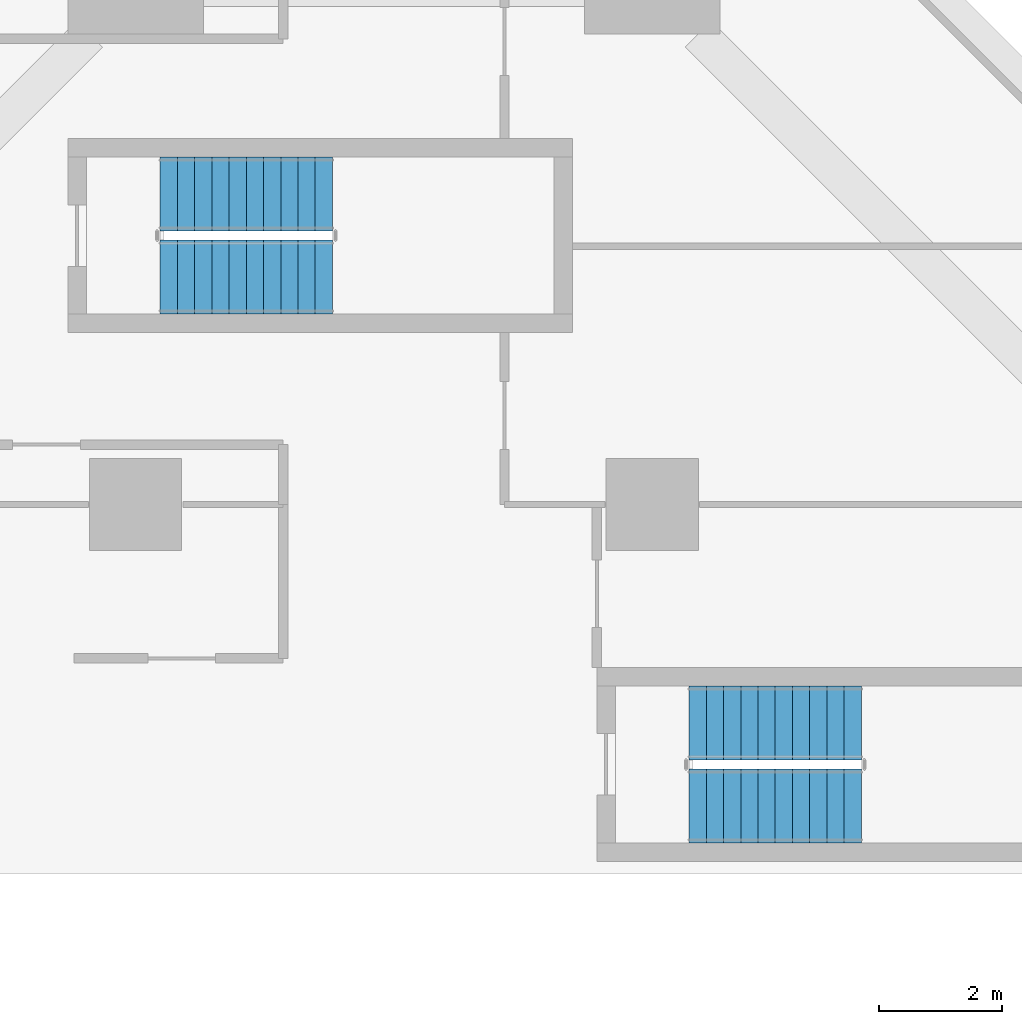
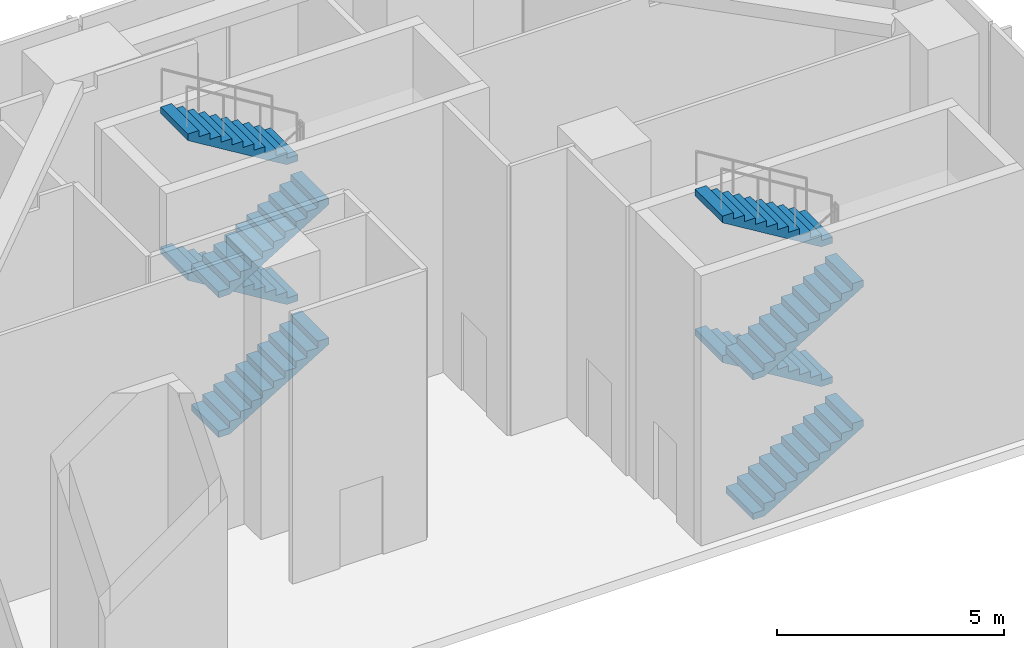
# One storey, part 13 of 16: 8 stair flights, 2 elements without a shape of their own.
"""IFC4 building model written with IfcOpenShell, lengths in metres."""

import ifcopenshell
import ifcopenshell.guid

model = None  # the IFC model being written
_history = None  # IfcOwnerHistory: only IFC2X3 demands one
_inside = {}  # id of a spatial element -> (the spatial element, [elements in it])
_under = {}  # id of a project, library or spatial element -> (it, [spatial elements below it])
_declared = {}  # id of a project -> (the project, [libraries it declares])
_typed = {}  # id of a type object -> (the type object, [elements of that type])
_made_of = {}  # id of a material, layer set ... -> (it, [elements and type objects made of it])


def new_model(schema):
    """Start an empty IFC model of exactly this schema.

    Asked for "IFC4X3", IfcOpenShell would pick the latest addendum, in which some entities
    have other attributes; the version numbers below select the first issue.
    IFC2X3 requires an IfcOwnerHistory on every rooted entity: one is made here for all.
    """
    global model, _history
    if schema == "IFC4X3":
        model = ifcopenshell.file(schema_version=(4, 3, 0, 0))
    else:
        model = ifcopenshell.file(schema=schema)
    _inside.clear()
    _under.clear()
    _declared.clear()
    _typed.clear()
    _made_of.clear()
    _history = None
    if model.schema == "IFC2X3":
        org = make("IfcOrganization", Name="unknown")
        user = make(
            "IfcPersonAndOrganization",
            ThePerson=make("IfcPerson", FamilyName="unknown"),
            TheOrganization=org,
        )
        app = make(
            "IfcApplication",
            ApplicationDeveloper=org,
            Version="unknown",
            ApplicationFullName="unknown",
            ApplicationIdentifier="unknown",
        )
        _history = make(
            "IfcOwnerHistory",
            OwningUser=user,
            OwningApplication=app,
            ChangeAction="ADDED",
            CreationDate=0,
        )
    return model


def make(cls, **values):
    """One entity of the class cls with the attributes given. An attribute that is None is left unset."""
    return model.create_entity(
        cls, **{name: value for name, value in values.items() if value is not None}
    )


def rooted(cls, **values):
    """An entity with a GlobalId (a new one), such as an element, a storey or a relation."""
    return make(cls, GlobalId=ifcopenshell.guid.new(), OwnerHistory=_history, **values)


def si_unit(unit_type, name, prefix=None):
    """IfcSIUnit, for example si_unit("LENGTHUNIT", "METRE", prefix="MILLI")."""
    return make("IfcSIUnit", UnitType=unit_type, Prefix=prefix, Name=name)


def assignment(units):
    """IfcUnitAssignment: the units of a project."""
    return None if units is None else make("IfcUnitAssignment", Units=units)


def point(xyz):
    """IfcCartesianPoint."""
    return None if xyz is None else make("IfcCartesianPoint", Coordinates=xyz)


def direction(xyz):
    """IfcDirection."""
    return None if xyz is None else make("IfcDirection", DirectionRatios=xyz)


def frame(location, z_axis=None, x_axis=None):
    """IfcAxis2Placement3D, a coordinate frame: its origin and axes. An axis left out is left unset."""
    return make(
        "IfcAxis2Placement3D",
        Location=point(location),
        Axis=direction(z_axis),
        RefDirection=direction(x_axis),
    )


def origin():
    """The frame at (0, 0, 0) with its axes left unset."""
    return frame((0.0, 0.0, 0.0))


def place(relative_to, where):
    """IfcLocalPlacement: puts the frame where relative to a parent placement (None: the world)."""
    return make(
        "IfcLocalPlacement", PlacementRelTo=relative_to, RelativePlacement=where
    )


def context(
    kind, dimensions, precision=None, world=None, true_north=None, identifier=None
):
    """IfcGeometricRepresentationContext, for example the 3D "Model" context."""
    return make(
        "IfcGeometricRepresentationContext",
        ContextIdentifier=identifier,
        ContextType=kind,
        CoordinateSpaceDimension=dimensions,
        Precision=precision,
        WorldCoordinateSystem=world,
        TrueNorth=true_north,
    )


def subcontext(parent, identifier, kind, view, scale=None):
    """IfcGeometricRepresentationSubContext, for example "Body" below "Model"."""
    return make(
        "IfcGeometricRepresentationSubContext",
        ContextIdentifier=identifier,
        ContextType=kind,
        ParentContext=parent,
        TargetScale=scale,
        TargetView=view,
    )


def project(units=None, contexts=None):
    """IfcProject with its units and contexts."""
    return rooted(
        "IfcProject",
        Name="project",
        RepresentationContexts=contexts,
        UnitsInContext=assignment(units),
    )


def spatial(cls, under=None, at=None, **own):
    """A site, building, storey or space (cls), placed at a placement, below another one or the project."""
    s = rooted(cls, ObjectPlacement=at, **own)
    if under is not None:
        _under.setdefault(under.id(), (under, []))[1].append(s)
    return s


def polyline(points):
    """IfcPolyline through the points."""
    return make("IfcPolyline", Points=[point(p) for p in points])


def outline(outer, holes=None, kind="AREA"):
    """IfcArbitraryClosedProfileDef: a profile drawn as a closed curve; with holes, ...WithVoids."""
    if holes is None:
        return make("IfcArbitraryClosedProfileDef", ProfileType=kind, OuterCurve=outer)
    return make(
        "IfcArbitraryProfileDefWithVoids",
        ProfileType=kind,
        OuterCurve=outer,
        InnerCurves=holes,
    )


def extrude(swept, where, along, depth):
    """IfcExtrudedAreaSolid: the profile swept, set in the frame where, extruded along a direction by depth."""
    return make(
        "IfcExtrudedAreaSolid",
        SweptArea=swept,
        Position=where,
        ExtrudedDirection=direction(along),
        Depth=depth,
    )


def shape(context_of_items, identifier, shape_type, items):
    """IfcShapeRepresentation: the items that make up one representation, for example the "Body"."""
    return make(
        "IfcShapeRepresentation",
        ContextOfItems=context_of_items,
        RepresentationIdentifier=identifier,
        RepresentationType=shape_type,
        Items=items,
    )


def material(Name=None, Category=None):
    """IfcMaterial."""
    return make("IfcMaterial", Name=Name, Category=Category)


def made_of(thing, what):
    """Note that an element or type object is made of a material, layer set ...; save() writes the relation."""
    if what is not None:
        _made_of.setdefault(what.id(), (what, []))[1].append(thing)
    return thing


def type_object(cls, material=None, **own):
    """A type object (cls), such as IfcWallType, which elements share."""
    return made_of(rooted(cls, **own), material)


def element(
    cls,
    number,
    at=None,
    inside=None,
    cuts=None,
    type_object=None,
    material=None,
    context=None,
    identifier="Body",
    shape_type=None,
    held_by="IfcProductDefinitionShape",
    body=None,
    shapes=None,
    **own,
):
    """One element of the class cls, such as IfcWall. Its Tag is "e" and its number.

    at: its placement. inside: the storey or other place that contains it. cuts: it is an
    opening in that element (IfcRelVoidsElement). A single representation is given by context,
    identifier, shape_type and body (its items); several are given by shapes. held_by: the class
    of the entity that holds the representations. save() writes the other relations.
    """
    e = rooted(cls, Tag="e%d" % number, ObjectPlacement=at, **own)
    if body is not None:
        shapes = [shape(context, identifier, shape_type, body)]
    if shapes is not None:
        e.Representation = make(held_by, Representations=shapes)
    if inside is not None:
        _inside.setdefault(inside.id(), (inside, []))[1].append(e)
    if cuts is not None:
        rooted(
            "IfcRelVoidsElement", RelatingBuildingElement=cuts, RelatedOpeningElement=e
        )
    if type_object is not None:
        _typed.setdefault(type_object.id(), (type_object, []))[1].append(e)
    return made_of(e, material)


def aggregate(whole, parts):
    """IfcRelAggregates: a whole, such as a stair, and the parts it consists of."""
    return rooted("IfcRelAggregates", RelatingObject=whole, RelatedObjects=parts)


def save(model, path):
    """Write the relations noted so far, then the file.

    IfcRelAggregates (storeys below a building ...), IfcRelContainedInSpatialStructure (elements
    in a storey), IfcRelDefinesByType, IfcRelAssociatesMaterial and IfcRelDeclares: one each for
    every whole, place, type object, material and project.
    """
    for whole, parts in _under.values():
        aggregate(whole, parts)
    for where, things in _inside.values():
        rooted(
            "IfcRelContainedInSpatialStructure",
            RelatedElements=things,
            RelatingStructure=where,
        )
    for kind, things in _typed.values():
        rooted("IfcRelDefinesByType", RelatedObjects=things, RelatingType=kind)
    for what, things in _made_of.values():
        rooted("IfcRelAssociatesMaterial", RelatedObjects=things, RelatingMaterial=what)
    for by, libraries in _declared.values():
        rooted("IfcRelDeclares", RelatingContext=by, RelatedDefinitions=libraries)
    model.write(path)


model = new_model("IFC4")

# Units and contexts
model_context = context("Model", 3, precision=1e-05, world=origin(), true_north=direction((0.0, 1.0)))
body_context = subcontext(model_context, "Body", "Model", "MODEL_VIEW")
ifc_project = project(units=[si_unit("LENGTHUNIT", "METRE"), si_unit("AREAUNIT", "SQUARE_METRE"), si_unit("VOLUMEUNIT", "CUBIC_METRE"), si_unit("PLANEANGLEUNIT", "RADIAN"), si_unit("MASSUNIT", "GRAM", prefix="KILO")], contexts=[model_context])

# Site, building, storey
site_placement = place(None, origin())
site = spatial("IfcSite", under=ifc_project, at=site_placement, CompositionType="ELEMENT")
building_placement = place(site_placement, origin())
building = spatial("IfcBuilding", under=site, at=building_placement, Name="Brevane Broadcast Tower", CompositionType="ELEMENT")
storey_placement = place(building_placement, frame((0.0, 0.0, 12.5)))
storey = spatial("IfcBuildingStorey", under=building, at=storey_placement, Name="L02", CompositionType="ELEMENT", Elevation=12.5)

# Stair, stair flights
ifc_material = material(Name="Concrete C50/60", Category="concrete")
stair_type = type_object("IfcStairType", Name="Exit stair 44 risers", PredefinedType="HALF_TURN_STAIR", material=ifc_material)
stair_1_placement = place(storey_placement, origin())
stair_1 = element("IfcStair", 1, at=stair_1_placement, inside=storey, type_object=stair_type, Name="L02 Exit stair ST-5", PredefinedType="HALF_TURN_STAIR")
stair_flight_type = type_object("IfcStairFlightType", Name="Exit stair flight 44 risers", PredefinedType="STRAIGHT", material=ifc_material)
stair_flight_1_placement = place(storey_placement, frame((17.39990234375, 53.89990234375, 0.0), z_axis=(0.0, 0.0, 1.0), x_axis=(1.0, 0.0, 0.0)))
stair_flight_1 = element("IfcStairFlight", 2, at=stair_flight_1_placement, type_object=stair_flight_type, Name="ST-5 flight 1", NumberOfRisers=11, NumberOfTreads=10, PredefinedType="STRAIGHT", RiserHeight=0.170454545, TreadLength=0.28, context=body_context, shape_type="SweptSolid", body=[
    extrude(outline(polyline([(0.0, 0.0), (0.0, 0.17041015625), (0.280029296875, 0.17041015625), (0.280029296875, 0.3408203125), (0.56005859375, 0.3408203125), (0.56005859375, 0.511474609375), (0.840087890625, 0.511474609375), (0.840087890625, 0.681884765625), (1.1201171875, 0.681884765625), (1.1201171875, 0.852294921875), (1.39990234375, 0.852294921875), (1.39990234375, 1.022705078125), (1.679931640625, 1.022705078125), (1.679931640625, 1.193115234375), (1.9599609375, 1.193115234375), (1.9599609375, 1.363525390625), (2.239990234375, 1.363525390625), (2.239990234375, 1.5341796875), (2.52001953125, 1.5341796875), (2.52001953125, 1.70458984375), (2.800048828125, 1.70458984375), (2.800048828125, 1.875), (2.800048828125, 1.529052734375), (0.288330078125, 0.0), (0.0, 0.0)])), frame((0.0, 0.60009765625, 0.0), z_axis=(0.0, -1.0, 0.0), x_axis=(1.0, 0.0, 0.0)), (0.0, 0.0, 1.0), 1.199951171875),
])
stair_flight_2_placement = place(storey_placement, frame((20.199951171875, 55.25, 1.875), z_axis=(0.0, 0.0, 1.0), x_axis=(-1.0, 0.0, 0.0)))
stair_flight_2 = element("IfcStairFlight", 3, at=stair_flight_2_placement, type_object=stair_flight_type, Name="ST-5 flight 2", NumberOfRisers=11, NumberOfTreads=10, PredefinedType="STRAIGHT", RiserHeight=0.170454545, TreadLength=0.28, context=body_context, shape_type="SweptSolid", body=[
    extrude(outline(polyline([(0.0, 0.0), (0.0, 0.17041015625), (0.280029296875, 0.17041015625), (0.280029296875, 0.3408203125), (0.56005859375, 0.3408203125), (0.56005859375, 0.511474609375), (0.840087890625, 0.511474609375), (0.840087890625, 0.681884765625), (1.1201171875, 0.681884765625), (1.1201171875, 0.852294921875), (1.39990234375, 0.852294921875), (1.39990234375, 1.022705078125), (1.679931640625, 1.022705078125), (1.679931640625, 1.193115234375), (1.9599609375, 1.193115234375), (1.9599609375, 1.363525390625), (2.239990234375, 1.363525390625), (2.239990234375, 1.5341796875), (2.52001953125, 1.5341796875), (2.52001953125, 1.70458984375), (2.800048828125, 1.70458984375), (2.800048828125, 1.875), (2.800048828125, 1.529052734375), (0.288330078125, 0.0), (0.0, 0.0)])), frame((0.0, 0.60009765625, 0.0), z_axis=(0.0, -1.0, 0.0), x_axis=(1.0, 0.0, 0.0)), (0.0, 0.0, 1.0), 1.199951171875),
])
stair_flight_3_placement = place(storey_placement, frame((17.39990234375, 53.89990234375, 3.75), z_axis=(0.0, 0.0, 1.0), x_axis=(1.0, 0.0, 0.0)))
stair_flight_3 = element("IfcStairFlight", 4, at=stair_flight_3_placement, type_object=stair_flight_type, Name="ST-5 flight 3", NumberOfRisers=11, NumberOfTreads=10, PredefinedType="STRAIGHT", RiserHeight=0.170454545, TreadLength=0.28, context=body_context, shape_type="SweptSolid", body=[
    extrude(outline(polyline([(0.0, 0.0), (0.0, 0.17041015625), (0.280029296875, 0.17041015625), (0.280029296875, 0.3408203125), (0.56005859375, 0.3408203125), (0.56005859375, 0.511474609375), (0.840087890625, 0.511474609375), (0.840087890625, 0.681884765625), (1.1201171875, 0.681884765625), (1.1201171875, 0.852294921875), (1.39990234375, 0.852294921875), (1.39990234375, 1.022705078125), (1.679931640625, 1.022705078125), (1.679931640625, 1.193115234375), (1.9599609375, 1.193115234375), (1.9599609375, 1.363525390625), (2.239990234375, 1.363525390625), (2.239990234375, 1.5341796875), (2.52001953125, 1.5341796875), (2.52001953125, 1.70458984375), (2.800048828125, 1.70458984375), (2.800048828125, 1.875), (2.800048828125, 1.529052734375), (0.288330078125, 0.0), (0.0, 0.0)])), frame((0.0, 0.60009765625, 0.0), z_axis=(0.0, -1.0, 0.0), x_axis=(1.0, 0.0, 0.0)), (0.0, 0.0, 1.0), 1.199951171875),
])
stair_flight_4_placement = place(storey_placement, frame((20.199951171875, 55.25, 5.625), z_axis=(0.0, 0.0, 1.0), x_axis=(-1.0, 0.0, 0.0)))
stair_flight_4 = element("IfcStairFlight", 5, at=stair_flight_4_placement, type_object=stair_flight_type, Name="ST-5 flight 4", NumberOfRisers=11, NumberOfTreads=10, PredefinedType="STRAIGHT", RiserHeight=0.170454545, TreadLength=0.28, context=body_context, shape_type="SweptSolid", body=[
    extrude(outline(polyline([(0.0, 0.0), (0.0, 0.17041015625), (0.280029296875, 0.17041015625), (0.280029296875, 0.3408203125), (0.56005859375, 0.3408203125), (0.56005859375, 0.511474609375), (0.840087890625, 0.511474609375), (0.840087890625, 0.681884765625), (1.1201171875, 0.681884765625), (1.1201171875, 0.852294921875), (1.39990234375, 0.852294921875), (1.39990234375, 1.022705078125), (1.679931640625, 1.022705078125), (1.679931640625, 1.193115234375), (1.9599609375, 1.193115234375), (1.9599609375, 1.363525390625), (2.239990234375, 1.363525390625), (2.239990234375, 1.5341796875), (2.52001953125, 1.5341796875), (2.52001953125, 1.70458984375), (2.800048828125, 1.70458984375), (2.800048828125, 1.875), (2.800048828125, 1.529052734375), (0.288330078125, 0.0), (0.0, 0.0)])), frame((0.0, 0.60009765625, 0.0), z_axis=(0.0, -1.0, 0.0), x_axis=(1.0, 0.0, 0.0)), (0.0, 0.0, 1.0), 1.199951171875),
])
aggregate(stair_1, [stair_flight_1, stair_flight_2, stair_flight_3, stair_flight_4])

stair_2_placement = place(storey_placement, origin())
stair_2 = element("IfcStair", 6, at=stair_2_placement, inside=storey, type_object=stair_type, Name="L02 Exit stair ST-6", PredefinedType="HALF_TURN_STAIR")
stair_flight_5_placement = place(storey_placement, frame((8.800048828125, 62.5, 0.0), z_axis=(0.0, 0.0, 1.0), x_axis=(1.0, 0.0, 0.0)))
stair_flight_5 = element("IfcStairFlight", 7, at=stair_flight_5_placement, type_object=stair_flight_type, Name="ST-6 flight 1", NumberOfRisers=11, NumberOfTreads=10, PredefinedType="STRAIGHT", RiserHeight=0.170454545, TreadLength=0.28, context=body_context, shape_type="SweptSolid", body=[
    extrude(outline(polyline([(0.0, 0.0), (0.0, 0.17041015625), (0.280029296875, 0.17041015625), (0.280029296875, 0.3408203125), (0.56005859375, 0.3408203125), (0.56005859375, 0.511474609375), (0.840087890625, 0.511474609375), (0.840087890625, 0.681884765625), (1.1201171875, 0.681884765625), (1.1201171875, 0.852294921875), (1.39990234375, 0.852294921875), (1.39990234375, 1.022705078125), (1.679931640625, 1.022705078125), (1.679931640625, 1.193115234375), (1.9599609375, 1.193115234375), (1.9599609375, 1.363525390625), (2.239990234375, 1.363525390625), (2.239990234375, 1.5341796875), (2.52001953125, 1.5341796875), (2.52001953125, 1.70458984375), (2.800048828125, 1.70458984375), (2.800048828125, 1.875), (2.800048828125, 1.529052734375), (0.288330078125, 0.0), (0.0, 0.0)])), frame((0.0, 0.60009765625, 0.0), z_axis=(0.0, -1.0, 0.0), x_axis=(1.0, 0.0, 0.0)), (0.0, 0.0, 1.0), 1.199951171875),
])
stair_flight_6_placement = place(storey_placement, frame((11.60009765625, 63.85009765625, 1.875), z_axis=(0.0, 0.0, 1.0), x_axis=(-1.0, 0.0, 0.0)))
stair_flight_6 = element("IfcStairFlight", 8, at=stair_flight_6_placement, type_object=stair_flight_type, Name="ST-6 flight 2", NumberOfRisers=11, NumberOfTreads=10, PredefinedType="STRAIGHT", RiserHeight=0.170454545, TreadLength=0.28, context=body_context, shape_type="SweptSolid", body=[
    extrude(outline(polyline([(0.0, 0.0), (0.0, 0.17041015625), (0.280029296875, 0.17041015625), (0.280029296875, 0.3408203125), (0.56005859375, 0.3408203125), (0.56005859375, 0.511474609375), (0.840087890625, 0.511474609375), (0.840087890625, 0.681884765625), (1.1201171875, 0.681884765625), (1.1201171875, 0.852294921875), (1.39990234375, 0.852294921875), (1.39990234375, 1.022705078125), (1.679931640625, 1.022705078125), (1.679931640625, 1.193115234375), (1.9599609375, 1.193115234375), (1.9599609375, 1.363525390625), (2.239990234375, 1.363525390625), (2.239990234375, 1.5341796875), (2.52001953125, 1.5341796875), (2.52001953125, 1.70458984375), (2.800048828125, 1.70458984375), (2.800048828125, 1.875), (2.800048828125, 1.529052734375), (0.288330078125, 0.0), (0.0, 0.0)])), frame((0.0, 0.60009765625, 0.0), z_axis=(0.0, -1.0, 0.0), x_axis=(1.0, 0.0, 0.0)), (0.0, 0.0, 1.0), 1.199951171875),
])
stair_flight_7_placement = place(storey_placement, frame((8.800048828125, 62.5, 3.75), z_axis=(0.0, 0.0, 1.0), x_axis=(1.0, 0.0, 0.0)))
stair_flight_7 = element("IfcStairFlight", 9, at=stair_flight_7_placement, type_object=stair_flight_type, Name="ST-6 flight 3", NumberOfRisers=11, NumberOfTreads=10, PredefinedType="STRAIGHT", RiserHeight=0.170454545, TreadLength=0.28, context=body_context, shape_type="SweptSolid", body=[
    extrude(outline(polyline([(0.0, 0.0), (0.0, 0.17041015625), (0.280029296875, 0.17041015625), (0.280029296875, 0.3408203125), (0.56005859375, 0.3408203125), (0.56005859375, 0.511474609375), (0.840087890625, 0.511474609375), (0.840087890625, 0.681884765625), (1.1201171875, 0.681884765625), (1.1201171875, 0.852294921875), (1.39990234375, 0.852294921875), (1.39990234375, 1.022705078125), (1.679931640625, 1.022705078125), (1.679931640625, 1.193115234375), (1.9599609375, 1.193115234375), (1.9599609375, 1.363525390625), (2.239990234375, 1.363525390625), (2.239990234375, 1.5341796875), (2.52001953125, 1.5341796875), (2.52001953125, 1.70458984375), (2.800048828125, 1.70458984375), (2.800048828125, 1.875), (2.800048828125, 1.529052734375), (0.288330078125, 0.0), (0.0, 0.0)])), frame((0.0, 0.60009765625, 0.0), z_axis=(0.0, -1.0, 0.0), x_axis=(1.0, 0.0, 0.0)), (0.0, 0.0, 1.0), 1.199951171875),
])
stair_flight_8_placement = place(storey_placement, frame((11.60009765625, 63.85009765625, 5.625), z_axis=(0.0, 0.0, 1.0), x_axis=(-1.0, 0.0, 0.0)))
stair_flight_8 = element("IfcStairFlight", 10, at=stair_flight_8_placement, type_object=stair_flight_type, Name="ST-6 flight 4", NumberOfRisers=11, NumberOfTreads=10, PredefinedType="STRAIGHT", RiserHeight=0.170454545, TreadLength=0.28, context=body_context, shape_type="SweptSolid", body=[
    extrude(outline(polyline([(0.0, 0.0), (0.0, 0.17041015625), (0.280029296875, 0.17041015625), (0.280029296875, 0.3408203125), (0.56005859375, 0.3408203125), (0.56005859375, 0.511474609375), (0.840087890625, 0.511474609375), (0.840087890625, 0.681884765625), (1.1201171875, 0.681884765625), (1.1201171875, 0.852294921875), (1.39990234375, 0.852294921875), (1.39990234375, 1.022705078125), (1.679931640625, 1.022705078125), (1.679931640625, 1.193115234375), (1.9599609375, 1.193115234375), (1.9599609375, 1.363525390625), (2.239990234375, 1.363525390625), (2.239990234375, 1.5341796875), (2.52001953125, 1.5341796875), (2.52001953125, 1.70458984375), (2.800048828125, 1.70458984375), (2.800048828125, 1.875), (2.800048828125, 1.529052734375), (0.288330078125, 0.0), (0.0, 0.0)])), frame((0.0, 0.60009765625, 0.0), z_axis=(0.0, -1.0, 0.0), x_axis=(1.0, 0.0, 0.0)), (0.0, 0.0, 1.0), 1.199951171875),
])
aggregate(stair_2, [stair_flight_5, stair_flight_6, stair_flight_7, stair_flight_8])

save(model, "model.ifc")
